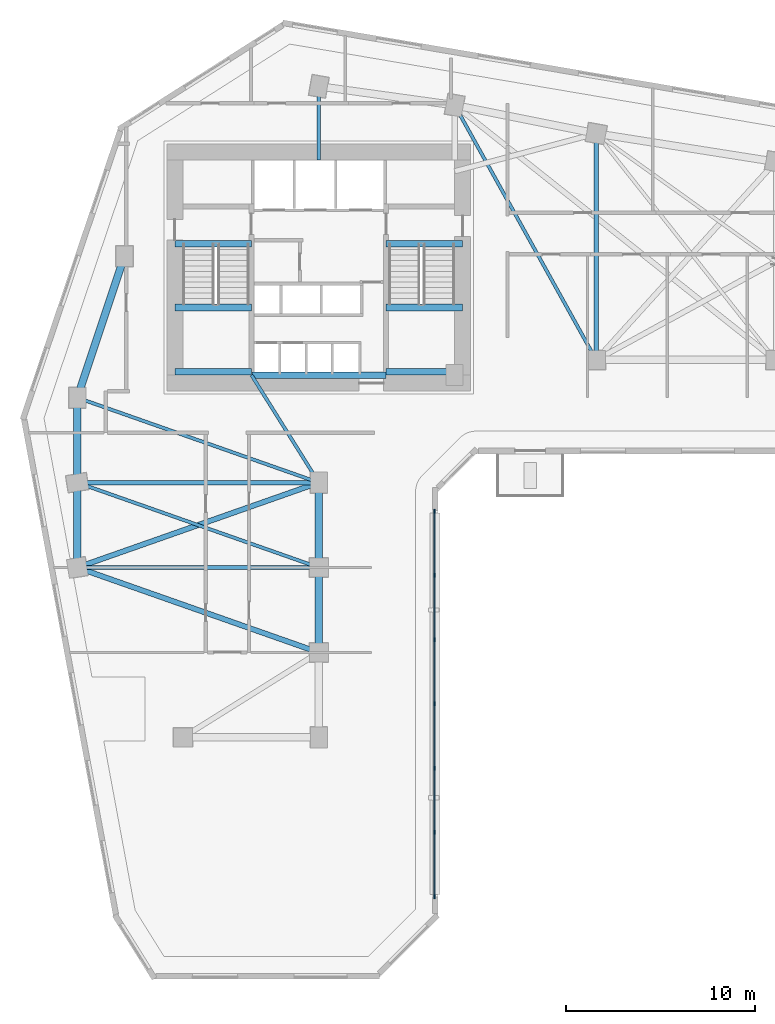
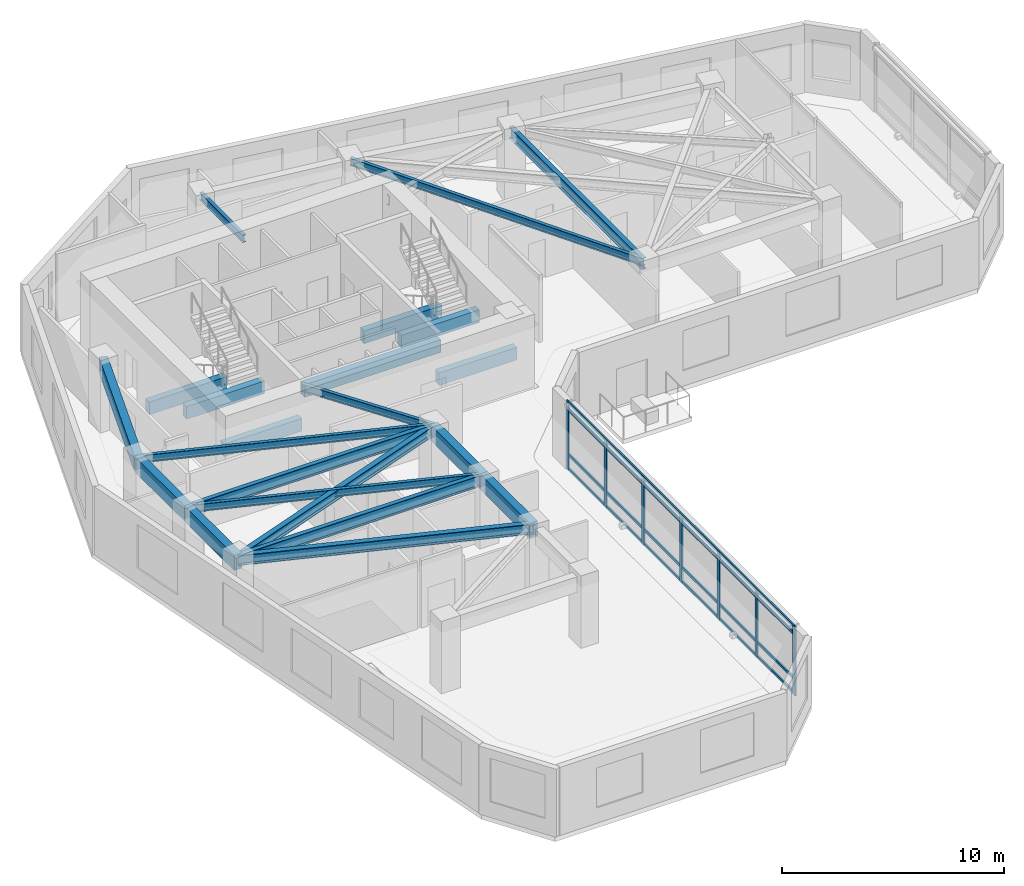
# One storey, part 2 of 10: 22 beams, 11 members, 1 element without a shape of its own.
"""IFC4 building model written with IfcOpenShell, lengths in metres."""

from ifc_helpers import new_model, si_unit, direction, frame, origin, origin_2d, place, context, subcontext, project, spatial, rectangle, i_section, extrude, source, transform, mapped, material, material_profile, profile_set, type_object, element, aggregate, save


model = new_model("IFC4")

# Units and contexts
model_context = context("Model", 3, precision=1e-05, world=origin(), true_north=direction((0.0, 1.0)))
body_context = subcontext(model_context, "Body", "Model", "MODEL_VIEW")
ifc_project = project(units=[si_unit("LENGTHUNIT", "METRE"), si_unit("AREAUNIT", "SQUARE_METRE"), si_unit("VOLUMEUNIT", "CUBIC_METRE"), si_unit("PLANEANGLEUNIT", "RADIAN"), si_unit("MASSUNIT", "GRAM", prefix="KILO")], contexts=[model_context])

# Site, building, storey
site_placement = place(None, origin())
site = spatial("IfcSite", under=ifc_project, at=site_placement, CompositionType="ELEMENT")
building_placement = place(site_placement, origin())
building = spatial("IfcBuilding", under=site, at=building_placement, Name="Calvemar Wedge Station Tower", CompositionType="ELEMENT")
storey_placement = place(building_placement, frame((0.0, 0.0, 87.0)))
storey = spatial("IfcBuildingStorey", under=building, at=storey_placement, Name="L21", CompositionType="ELEMENT", Elevation=87.0)

# Beams
ifc_material_1 = material(Name="Concrete C70", Category="concrete")
ifc_material_profile_1 = material_profile(ifc_material_1, rectangle(XDim=0.35009765625, YDim=0.699951171875, at=origin_2d()), Name="RC350x700")
ifc_profile_set_1 = profile_set([ifc_material_profile_1], Name="Concrete C70")
beam_type_1 = type_object("IfcBeamType", Name="BM-LN1-700", PredefinedType="LINTEL", material=ifc_profile_set_1)
shared_shape_1 = source(origin(), body_context, "Body", "SweptSolid", [
    extrude(rectangle(XDim=0.35009765625, YDim=0.699951171875, at=origin_2d()), origin(), (0.0, 0.0, 1.0), 4.054931640625),
])
for number, where, z_axis, x_axis, name in (
    (1, (16.175048828125, 41.14990234375, -0.35009765625), (1.0, 0.0, 0.0), (0.0, 1.0, 0.0), "Storey L21 Stair ST-C1 Landing Trimmer Beam"),
    (2, (27.3701171875, 41.14990234375, -0.35009765625), (1.0, 0.0, 0.0), (0.0, 1.0, 0.0), "Storey L21 Stair ST-C2 Landing Trimmer Beam"),
    (3, (16.175048828125, 34.3798828125, 1.449951171875), (1.0, 0.0, 0.0), (0.0, 1.0, 0.0), "Storey L21 Stair ST-C1 Half-Landing Beam 1A"),
    (4, (16.175048828125, 37.780029296875, 1.449951171875), (1.0, 0.0, 0.0), (0.0, 1.0, 0.0), "Storey L21 Stair ST-C1 Half-Landing Beam 1B"),
    (5, (27.3701171875, 34.3798828125, 1.449951171875), (1.0, 0.0, 0.0), (0.0, 1.0, 0.0), "Storey L21 Stair ST-C2 Half-Landing Beam 1A"),
    (6, (27.3701171875, 37.780029296875, 1.449951171875), (1.0, 0.0, 0.0), (0.0, 1.0, 0.0), "Storey L21 Stair ST-C2 Half-Landing Beam 1B"),
):
    element("IfcBeam", number, at=place(storey_placement, frame(where, z_axis=z_axis, x_axis=x_axis)), inside=storey, type_object=beam_type_1, Name=name, PredefinedType="LINTEL", context=body_context, shape_type="MappedRepresentation", body=[
        mapped(shared_shape_1, transform((0.0, 0.0, 0.0), scale=1.0)),
    ])
ifc_material_2 = material(Name="Concrete C60", Category="concrete")
ifc_material_profile_2 = material_profile(ifc_material_2, rectangle(XDim=0.39990234375, YDim=0.85009765625, at=origin_2d()), Name="RC400x850")
ifc_profile_set_2 = profile_set([ifc_material_profile_2], Name="Concrete C60")
beam_type_2 = type_object("IfcBeamType", Name="BM-SP1-850", PredefinedType="SPANDREL", material=ifc_profile_set_2)
shared_shape_2 = source(origin(), body_context, "Body", "SweptSolid", [
    extrude(rectangle(XDim=0.39990234375, YDim=0.85009765625, at=origin_2d()), origin(), (0.0, 0.0, 1.0), 7.90576171875),
])
beam_1_placement = place(storey_placement, frame((11.0, 33.0, 3.324951171875), z_axis=(0.316227766017, 0.948683298051, 0.0), x_axis=(-0.948683298051, 0.316227766017, 0.0)))
element("IfcBeam", 7, at=beam_1_placement, inside=storey, type_object=beam_type_2, Name="Storey L21 Spandrel T-NW1-T-NW2", PredefinedType="SPANDREL", context=body_context, shape_type="MappedRepresentation", body=[
    mapped(shared_shape_2, transform((0.0, 0.0, 0.0), scale=1.0)),
])
ifc_material_3 = material(Name="Structural steel ASTM A572 Grade 50", Category="steel")
ifc_material_profile_3 = material_profile(ifc_material_3, i_section(OverallWidth=0.22998046875, OverallDepth=0.616943359375, WebThickness=0.01318359375, FlangeThickness=0.022216796875, FilletRadius=0.012939453125, at=origin_2d()), Name="W610x140")
ifc_profile_set_3 = profile_set([ifc_material_profile_3], Name="Structural steel ASTM A572 Grade 50")
beam_type_3 = type_object("IfcBeamType", Name="BM-SB2-W610", PredefinedType="BEAM", material=ifc_profile_set_3)
shared_shape_3 = source(origin(), body_context, "Body", "SweptSolid", [
    extrude(i_section(OverallWidth=0.22998046875, OverallDepth=0.616943359375, WebThickness=0.01318359375, FlangeThickness=0.022216796875, FilletRadius=0.012939453125, at=origin_2d()), origin(), (0.0, 0.0, 1.0), 12.0),
])
beam_2_placement = place(storey_placement, frame((38.5, 47.0, 3.44140625), z_axis=(0.0, -1.0, 0.0), x_axis=(1.0, 0.0, 0.0)))
element("IfcBeam", 8, at=beam_2_placement, inside=storey, type_object=beam_type_3, Name="Storey L21 Floor Beam T-NU3-T-NL2", PredefinedType="BEAM", context=body_context, shape_type="MappedRepresentation", body=[
    mapped(shared_shape_3, transform((0.0, 0.0, 0.0), scale=1.0)),
])
shared_shape_4 = source(origin(), body_context, "Body", "SweptSolid", [
    extrude(rectangle(XDim=0.39990234375, YDim=0.85009765625, at=origin_2d()), origin(), (0.0, 0.0, 1.0), 4.5),
])
for number, where, z_axis, x_axis, name in (
    (9, (11.0, 33.0, 3.324951171875), (0.0, -1.0, 0.0), (1.0, 0.0, 0.0), "Storey L21 Spandrel T-NW1-T-SW1"),
    (10, (11.0, 28.5, 3.324951171875), (0.0, -1.0, 0.0), (1.0, 0.0, 0.0), "Storey L21 Spandrel T-SW1-T-SW2"),
    (11, (23.800048828125, 28.5, 3.324951171875), (0.0, -1.0, 0.0), (1.0, 0.0, 0.0), "Storey L21 Spandrel T-SE1-T-SE2"),
    (12, (23.800048828125, 24.0, 3.324951171875), (0.0, -1.0, 0.0), (1.0, 0.0, 0.0), "Storey L21 Spandrel T-SE2-T-SE3"),
):
    element("IfcBeam", number, at=place(storey_placement, frame(where, z_axis=z_axis, x_axis=x_axis)), inside=storey, type_object=beam_type_2, Name=name, PredefinedType="SPANDREL", context=body_context, shape_type="MappedRepresentation", body=[
        mapped(shared_shape_4, transform((0.0, 0.0, 0.0), scale=1.0)),
    ])
shared_shape_5 = source(origin(), body_context, "Body", "SweptSolid", [
    extrude(i_section(OverallWidth=0.22998046875, OverallDepth=0.616943359375, WebThickness=0.01318359375, FlangeThickness=0.022216796875, FilletRadius=0.012939453125, at=origin_2d()), origin(), (0.0, 0.0, 1.0), 12.800048828125),
])
for number, where, z_axis, x_axis, name in (
    (13, (11.0, 28.5, 3.44140625), (1.0, 0.0, 0.0), (0.0, 1.0, 0.0), "Storey L21 Floor Beam T-SW1-T-SE1"),
    (14, (11.0, 24.0, 3.44140625), (1.0, 0.0, 0.0), (0.0, 1.0, 0.0), "Storey L21 Floor Beam T-SW2-T-SE2"),
):
    element("IfcBeam", number, at=place(storey_placement, frame(where, z_axis=z_axis, x_axis=x_axis)), inside=storey, type_object=beam_type_3, Name=name, PredefinedType="BEAM", context=body_context, shape_type="MappedRepresentation", body=[
        mapped(shared_shape_5, transform((0.0, 0.0, 0.0), scale=1.0)),
    ])
ifc_material_profile_4 = material_profile(ifc_material_3, i_section(OverallWidth=0.177978515625, OverallDepth=0.406982421875, WebThickness=0.0078125, FlangeThickness=0.0126953125, FilletRadius=0.010009765625, at=origin_2d()), Name="W410x60")
ifc_profile_set_4 = profile_set([ifc_material_profile_4], Name="Structural steel ASTM A572 Grade 50")
beam_type_4 = type_object("IfcBeamType", Name="BM-J3-W410", PredefinedType="JOIST", material=ifc_profile_set_4)
shared_shape_6 = source(origin(), body_context, "Body", "SweptSolid", [
    extrude(i_section(OverallWidth=0.177978515625, OverallDepth=0.406982421875, WebThickness=0.0078125, FlangeThickness=0.0126953125, FilletRadius=0.010009765625, at=origin_2d()), origin(), (0.0, 0.0, 1.0), 15.443359375),
])
beam_3_placement = place(storey_placement, frame((31.0, 48.5, 3.54638671875), z_axis=(0.485642931179, -0.874157276122, 0.0), x_axis=(0.874157276122, 0.485642931179, 0.0)))
element("IfcBeam", 15, at=beam_3_placement, inside=storey, type_object=beam_type_4, Name="Storey L21 Floor Beam T-N2-T-NL2", PredefinedType="JOIST", context=body_context, shape_type="MappedRepresentation", body=[
    mapped(shared_shape_6, transform((0.0, 0.0, 0.0), scale=1.0)),
])
shared_shape_7 = source(origin(), body_context, "Body", "SweptSolid", [
    extrude(i_section(OverallWidth=0.177978515625, OverallDepth=0.406982421875, WebThickness=0.0078125, FlangeThickness=0.0126953125, FilletRadius=0.010009765625, at=origin_2d()), origin(), (0.0, 0.0, 1.0), 13.568115234375),
])
for number, where, z_axis, x_axis, name in (
    (16, (11.0, 33.0, 3.54638671875), (0.943398221169, -0.331662171939, 0.0), (0.331662171939, 0.943398221169, 0.0), "Storey L21 Floor Beam T-NW1-T-SE1"),
    (17, (11.0, 28.5, 3.54638671875), (0.943398221169, -0.331662171939, 0.0), (0.331662171939, 0.943398221169, 0.0), "Storey L21 Floor Beam T-SW1-T-SE2"),
):
    element("IfcBeam", number, at=place(storey_placement, frame(where, z_axis=z_axis, x_axis=x_axis)), inside=storey, type_object=beam_type_4, Name=name, PredefinedType="JOIST", context=body_context, shape_type="MappedRepresentation", body=[
        mapped(shared_shape_7, transform((0.0, 0.0, 0.0), scale=1.0)),
    ])
ifc_material_profile_5 = material_profile(ifc_material_3, i_section(OverallWidth=0.279052734375, OverallDepth=0.553955078125, WebThickness=0.017578125, FlangeThickness=0.029541015625, FilletRadius=0.014892578125, at=origin_2d()), Name="W530x196")
ifc_profile_set_5 = profile_set([ifc_material_profile_5], Name="Structural steel ASTM A572 Grade 50")
beam_type_5 = type_object("IfcBeamType", Name="BM-SB3-W530H", PredefinedType="BEAM", material=ifc_profile_set_5)
shared_shape_8 = source(origin(), body_context, "Body", "SweptSolid", [
    extrude(i_section(OverallWidth=0.279052734375, OverallDepth=0.553955078125, WebThickness=0.017578125, FlangeThickness=0.029541015625, FilletRadius=0.014892578125, at=origin_2d()), origin(), (0.0, 0.0, 1.0), 13.568115234375),
])
for number, where, z_axis, x_axis, name in (
    (18, (23.800048828125, 28.5, 3.472900390625), (-0.943398221169, -0.331662171939, 0.0), (0.331662171939, -0.943398221169, 0.0), "Storey L21 Floor Beam T-SE1-T-SW2"),
    (19, (11.0, 24.0, 3.472900390625), (0.943398221169, -0.331662171939, 0.0), (0.331662171939, 0.943398221169, 0.0), "Storey L21 Floor Beam T-SW2-T-SE3"),
):
    element("IfcBeam", number, at=place(storey_placement, frame(where, z_axis=z_axis, x_axis=x_axis)), inside=storey, type_object=beam_type_5, Name=name, PredefinedType="BEAM", context=body_context, shape_type="MappedRepresentation", body=[
        mapped(shared_shape_8, transform((0.0, 0.0, 0.0), scale=1.0)),
    ])
shared_shape_9 = source(origin(), body_context, "Body", "SweptSolid", [
    extrude(i_section(OverallWidth=0.177978515625, OverallDepth=0.406982421875, WebThickness=0.0078125, FlangeThickness=0.0126953125, FilletRadius=0.010009765625, at=origin_2d()), origin(), (0.0, 0.0, 1.0), 3.89990234375),
])
beam_4_placement = place(storey_placement, frame((23.800048828125, 45.60009765625, 3.54638671875), z_axis=(0.0, 1.0, 0.0), x_axis=(-1.0, 0.0, 0.0)))
element("IfcBeam", 20, at=beam_4_placement, inside=storey, type_object=beam_type_4, Name="Storey L21 Core-to-Column Joist CJ-N1", PredefinedType="JOIST", context=body_context, shape_type="MappedRepresentation", body=[
    mapped(shared_shape_9, transform((0.0, 0.0, 0.0), scale=1.0)),
])
shared_shape_10 = source(origin(), body_context, "Body", "SweptSolid", [
    extrude(i_section(OverallWidth=0.177978515625, OverallDepth=0.406982421875, WebThickness=0.0078125, FlangeThickness=0.0126953125, FilletRadius=0.010009765625, at=origin_2d()), origin(), (0.0, 0.0, 1.0), 6.7255859375),
])
beam_5_placement = place(storey_placement, frame((20.22998046875, 34.199951171875, 3.54638671875), z_axis=(0.530811158438, -0.847490126242, 0.0), x_axis=(0.847490126242, 0.530811158438, 0.0)))
element("IfcBeam", 21, at=beam_5_placement, inside=storey, type_object=beam_type_4, Name="Storey L21 Core-to-Column Joist CJ-S2", PredefinedType="JOIST", context=body_context, shape_type="MappedRepresentation", body=[
    mapped(shared_shape_10, transform((0.0, 0.0, 0.0), scale=1.0)),
])
shared_shape_11 = source(origin(), body_context, "Body", "SweptSolid", [
    extrude(rectangle(XDim=0.35009765625, YDim=0.699951171875, at=origin_2d()), origin(), (0.0, 0.0, 1.0), 7.10009765625),
])
beam_6_placement = place(storey_placement, frame((20.25, 34.199951171875, 3.39990234375), z_axis=(1.0, 0.0, 0.0), x_axis=(0.0, 1.0, 0.0)))
element("IfcBeam", 22, at=beam_6_placement, inside=storey, type_object=beam_type_1, Name="Storey L21 Core Coupling Lintel South", PredefinedType="LINTEL", context=body_context, shape_type="MappedRepresentation", body=[
    mapped(shared_shape_11, transform((0.0, 0.0, 0.0), scale=1.0)),
])

# Curtain wall, members
ifc_material_4 = material(Name="Anodised aluminium 6063-T6", Category="aluminium")
curtain_wall_type = type_object("IfcCurtainWallType", Name="CW1", PredefinedType="NOTDEFINED", material=ifc_material_4)
curtain_wall_placement = place(storey_placement, origin())
curtain_wall = element("IfcCurtainWall", 23, at=curtain_wall_placement, inside=storey, type_object=curtain_wall_type, Name="Storey L21 CW1 Recessed Unitised Curtain Wall 4", PredefinedType="NOTDEFINED")
ifc_material_profile_6 = material_profile(ifc_material_4, rectangle(XDim=0.080078125, YDim=0.219970703125, at=origin_2d()), Name="AL-MUL-80x220")
ifc_profile_set_6 = profile_set([ifc_material_profile_6], Name="Anodised aluminium 6063-T6")
member_type_1 = type_object("IfcMemberType", Name="CW1-MUL", PredefinedType="MULLION", material=ifc_profile_set_6)
shared_shape_12 = source(origin(), body_context, "Body", "SweptSolid", [
    extrude(rectangle(XDim=0.080078125, YDim=0.219970703125, at=origin_2d()), origin(), (0.0, 0.0, 1.0), 3.800048828125),
])
member_1_placement = place(storey_placement, frame((29.91796875, 6.56201171875, -0.050048828125), z_axis=(0.0, 0.0, 1.0), x_axis=(1.0, 0.0, 0.0)))
member_1 = element("IfcMember", 24, at=member_1_placement, type_object=member_type_1, Name="CW1 mullion 1", PredefinedType="MULLION", context=body_context, shape_type="MappedRepresentation", body=[
    mapped(shared_shape_12, transform((0.0, 0.0, 0.0), scale=1.0)),
])
member_2_placement = place(storey_placement, frame((29.91796875, 9.966796875, -0.050048828125), z_axis=(0.0, 0.0, 1.0), x_axis=(1.0, 0.0, 0.0)))
member_2 = element("IfcMember", 25, at=member_2_placement, type_object=member_type_1, Name="CW1 mullion 2", PredefinedType="MULLION", context=body_context, shape_type="MappedRepresentation", body=[
    mapped(shared_shape_12, transform((0.0, 0.0, 0.0), scale=1.0)),
])
member_3_placement = place(storey_placement, frame((29.91796875, 13.371337890625, -0.050048828125), z_axis=(0.0, 0.0, 1.0), x_axis=(1.0, 0.0, 0.0)))
member_3 = element("IfcMember", 26, at=member_3_placement, type_object=member_type_1, Name="CW1 mullion 3", PredefinedType="MULLION", context=body_context, shape_type="MappedRepresentation", body=[
    mapped(shared_shape_12, transform((0.0, 0.0, 0.0), scale=1.0)),
])
member_4_placement = place(storey_placement, frame((29.91796875, 16.776123046875, -0.050048828125), z_axis=(0.0, 0.0, 1.0), x_axis=(1.0, 0.0, 0.0)))
member_4 = element("IfcMember", 27, at=member_4_placement, type_object=member_type_1, Name="CW1 mullion 4", PredefinedType="MULLION", context=body_context, shape_type="MappedRepresentation", body=[
    mapped(shared_shape_12, transform((0.0, 0.0, 0.0), scale=1.0)),
])
member_5_placement = place(storey_placement, frame((29.91796875, 20.180908203125, -0.050048828125), z_axis=(0.0, 0.0, 1.0), x_axis=(1.0, 0.0, 0.0)))
member_5 = element("IfcMember", 28, at=member_5_placement, type_object=member_type_1, Name="CW1 mullion 5", PredefinedType="MULLION", context=body_context, shape_type="MappedRepresentation", body=[
    mapped(shared_shape_12, transform((0.0, 0.0, 0.0), scale=1.0)),
])
member_6_placement = place(storey_placement, frame((29.91796875, 23.58544921875, -0.050048828125), z_axis=(0.0, 0.0, 1.0), x_axis=(1.0, 0.0, 0.0)))
member_6 = element("IfcMember", 29, at=member_6_placement, type_object=member_type_1, Name="CW1 mullion 6", PredefinedType="MULLION", context=body_context, shape_type="MappedRepresentation", body=[
    mapped(shared_shape_12, transform((0.0, 0.0, 0.0), scale=1.0)),
])
member_7_placement = place(storey_placement, frame((29.91796875, 26.989990234375, -0.050048828125), z_axis=(0.0, 0.0, 1.0), x_axis=(1.0, 0.0, 0.0)))
member_7 = element("IfcMember", 30, at=member_7_placement, type_object=member_type_1, Name="CW1 mullion 7", PredefinedType="MULLION", context=body_context, shape_type="MappedRepresentation", body=[
    mapped(shared_shape_12, transform((0.0, 0.0, 0.0), scale=1.0)),
])
ifc_material_profile_7 = material_profile(ifc_material_4, rectangle(XDim=0.080078125, YDim=0.159912109375, at=origin_2d()), Name="AL-TRN-80x160")
ifc_profile_set_7 = profile_set([ifc_material_profile_7], Name="Anodised aluminium 6063-T6")
member_type_2 = type_object("IfcMemberType", Name="CW1-TRN", PredefinedType="USERDEFINED", material=ifc_profile_set_7)
shared_shape_13 = source(origin(), body_context, "Body", "SweptSolid", [
    extrude(rectangle(XDim=0.080078125, YDim=0.159912109375, at=origin_2d()), origin(), (0.0, 0.0, 1.0), 20.427978515625),
])
member_8_placement = place(storey_placement, frame((29.91796875, 6.56201171875, 0.06005859375), z_axis=(0.0, 1.0, 0.0), x_axis=(-1.0, 0.0, 0.0)))
member_8 = element("IfcMember", 31, at=member_8_placement, type_object=member_type_2, Name="CW1 transom 1", ObjectType="TRANSOM", PredefinedType="USERDEFINED", context=body_context, shape_type="MappedRepresentation", body=[
    mapped(shared_shape_13, transform((0.0, 0.0, 0.0), scale=1.0)),
])
member_9_placement = place(storey_placement, frame((29.91796875, 6.56201171875, 0.85009765625), z_axis=(0.0, 1.0, 0.0), x_axis=(-1.0, 0.0, 0.0)))
member_9 = element("IfcMember", 32, at=member_9_placement, type_object=member_type_2, Name="CW1 transom 2", ObjectType="TRANSOM", PredefinedType="USERDEFINED", context=body_context, shape_type="MappedRepresentation", body=[
    mapped(shared_shape_13, transform((0.0, 0.0, 0.0), scale=1.0)),
])
member_10_placement = place(storey_placement, frame((29.91796875, 6.56201171875, 3.300048828125), z_axis=(0.0, 1.0, 0.0), x_axis=(-1.0, 0.0, 0.0)))
member_10 = element("IfcMember", 33, at=member_10_placement, type_object=member_type_2, Name="CW1 transom 3", ObjectType="TRANSOM", PredefinedType="USERDEFINED", context=body_context, shape_type="MappedRepresentation", body=[
    mapped(shared_shape_13, transform((0.0, 0.0, 0.0), scale=1.0)),
])
member_11_placement = place(storey_placement, frame((29.91796875, 6.56201171875, 3.68994140625), z_axis=(0.0, 1.0, 0.0), x_axis=(-1.0, 0.0, 0.0)))
member_11 = element("IfcMember", 34, at=member_11_placement, type_object=member_type_2, Name="CW1 transom 4", ObjectType="TRANSOM", PredefinedType="USERDEFINED", context=body_context, shape_type="MappedRepresentation", body=[
    mapped(shared_shape_13, transform((0.0, 0.0, 0.0), scale=1.0)),
])
aggregate(curtain_wall, [member_1, member_2, member_3, member_4, member_5, member_6, member_7, member_8, member_9, member_10, member_11])

save(model, "model.ifc")
